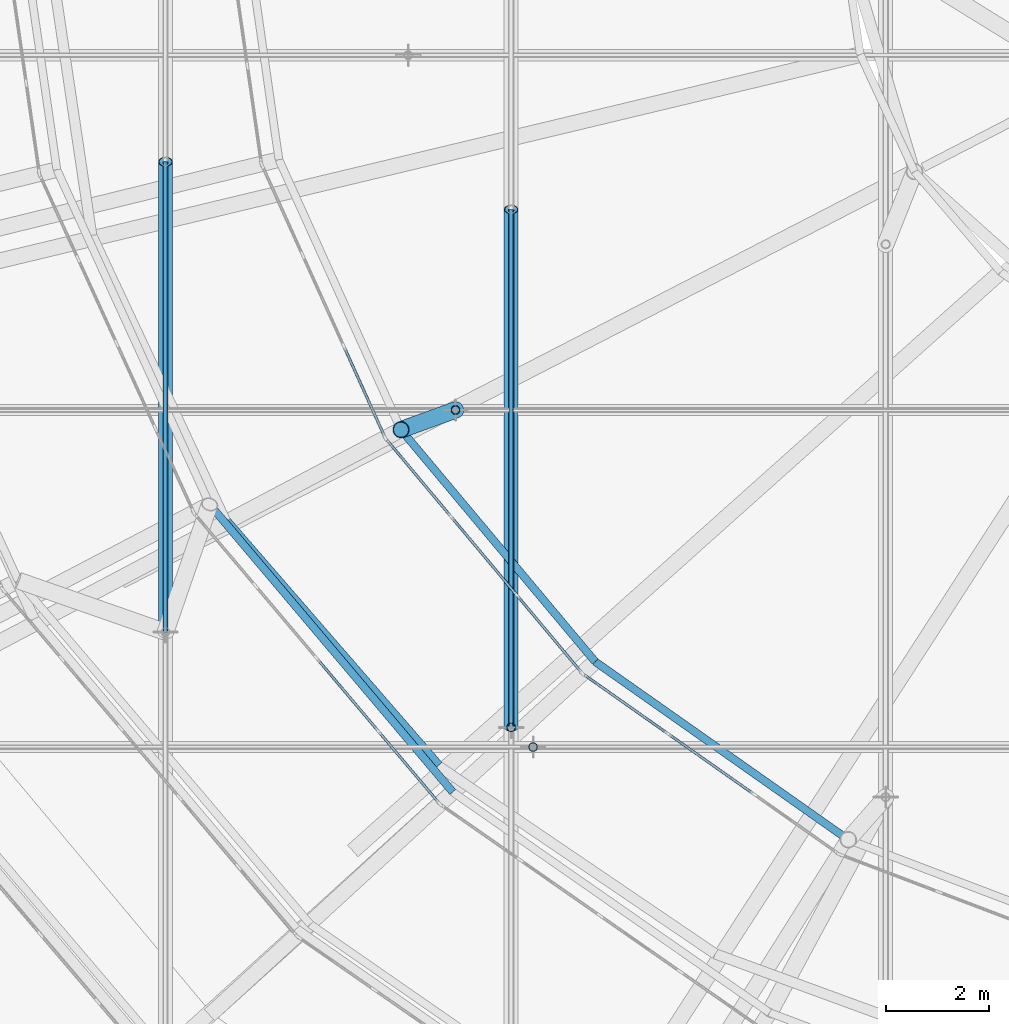
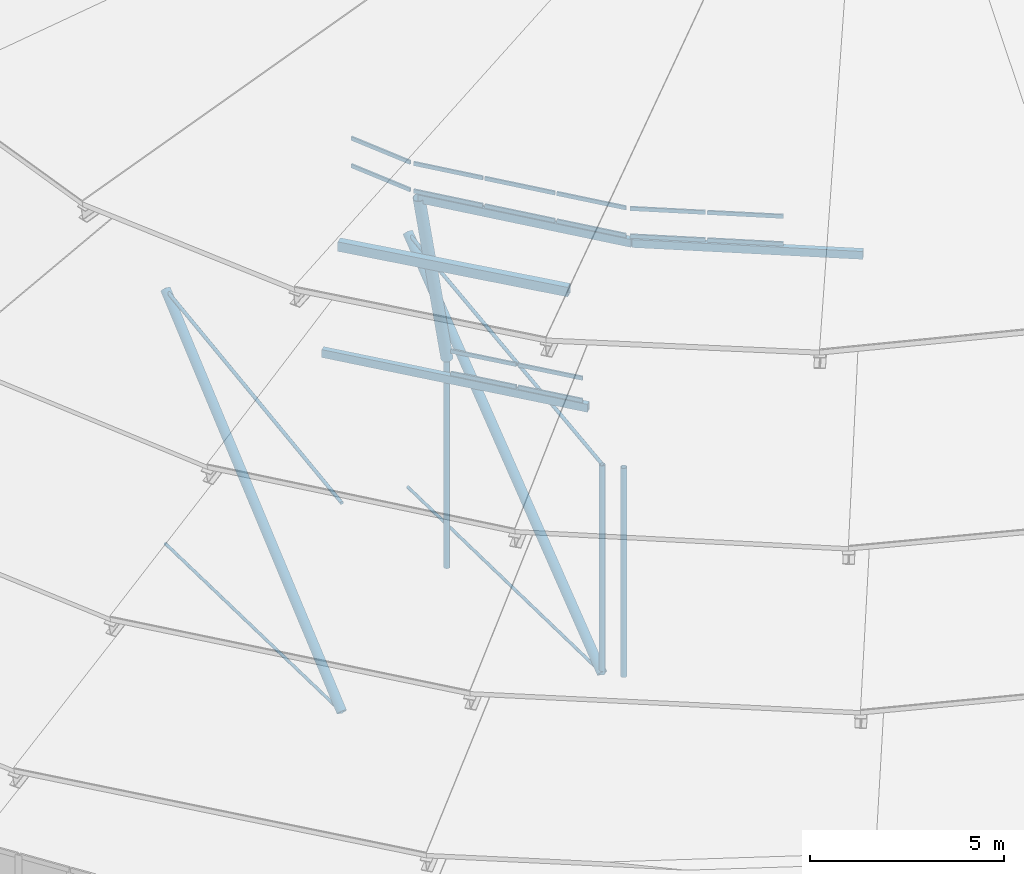
# One storey, part 8 of 173: 30 members, 4 elements without a shape of their own.
"""IFC4 building model written with IfcOpenShell, lengths in metres."""

from ifc_helpers import new_model, si_unit, direction, frame, origin, origin_2d, place, context, subcontext, project, spatial, rectangle, hollow_rectangle, circle, hollow_circle, extrude, material, material_profile, profile_set, type_object, element, aggregate, save


model = new_model("IFC4")

# Units and contexts
model_context = context("Model", 3, precision=1e-05, world=origin(), true_north=direction((0.0, 1.0)))
body_context = subcontext(model_context, "Body", "Model", "MODEL_VIEW")
ifc_project = project(units=[si_unit("LENGTHUNIT", "METRE"), si_unit("AREAUNIT", "SQUARE_METRE"), si_unit("VOLUMEUNIT", "CUBIC_METRE"), si_unit("PLANEANGLEUNIT", "RADIAN"), si_unit("MASSUNIT", "GRAM", prefix="KILO")], contexts=[model_context])

# Site, building, storey
site_placement = place(None, origin())
site = spatial("IfcSite", under=ifc_project, at=site_placement, CompositionType="ELEMENT")
building_placement = place(site_placement, origin())
building = spatial("IfcBuilding", under=site, at=building_placement, Name="Glasvene Arena", CompositionType="ELEMENT")
storey_placement = place(building_placement, frame((0.0, 0.0, 28.800048828125)))
storey = spatial("IfcBuildingStorey", under=building, at=storey_placement, Name="RF", CompositionType="ELEMENT", Elevation=28.800048828125)

# Curtain wall, members
ifc_material_1 = material(Name="Low-emissivity laminated double glazing", Category="glass")
curtain_wall_type_1 = type_object("IfcCurtainWallType", Name="CW-PET3-737x75", PredefinedType="USERDEFINED", material=ifc_material_1)
curtain_wall_1_placement = place(storey_placement, frame((63.16259765625, 57.10009765625, 0.0)))
curtain_wall_1 = element("IfcCurtainWall", 1, at=curtain_wall_1_placement, inside=storey, type_object=curtain_wall_type_1, Name="Petal ring 3-4 clerestory curtain wall 15", ObjectType="CURTAIN WALL", PredefinedType="USERDEFINED")
ifc_material_2 = material(Name="Anodised architectural aluminium", Category="aluminium")
ifc_material_profile_1 = material_profile(ifc_material_2, rectangle(XDim=0.050048828125, YDim=0.1201171875, at=origin_2d()), Name="ALU TRANSOM 50x120")
ifc_profile_set_1 = profile_set([ifc_material_profile_1], Name="Anodised architectural aluminium")
member_type_1 = type_object("IfcMemberType", Name="CW-TRN-120", PredefinedType="USERDEFINED", material=ifc_profile_set_1)
member_1_placement = place(storey_placement, frame((65.55859375, 54.26416015625, 7.85498046875), z_axis=(0.645337954572, -0.763897194908, 0.0), x_axis=(0.763897194908, 0.645337954572, 0.0)))
member_1 = element("IfcMember", 2, at=member_1_placement, type_object=member_type_1, Name="CW-095 transom 3.1", ObjectType="TRANSOM", PredefinedType="USERDEFINED", context=body_context, shape_type="SweptSolid", body=[
    extrude(rectangle(XDim=0.050048828125, YDim=0.1201171875, at=origin_2d()), origin(), (0.0, 0.0, 1.0), 1.793701171875),
])
member_2_placement = place(storey_placement, frame((65.55859375, 54.26416015625, 8.554931640625), z_axis=(0.645337954572, -0.763897194908, 0.0), x_axis=(0.763897194908, 0.645337954572, 0.0)))
member_2 = element("IfcMember", 3, at=member_2_placement, type_object=member_type_1, Name="CW-095 transom 3.2", ObjectType="TRANSOM", PredefinedType="USERDEFINED", context=body_context, shape_type="SweptSolid", body=[
    extrude(rectangle(XDim=0.050048828125, YDim=0.1201171875, at=origin_2d()), origin(), (0.0, 0.0, 1.0), 1.793701171875),
])
member_3_placement = place(storey_placement, frame((66.748291015625, 52.85595703125, 7.85498046875), z_axis=(0.645409970191, -0.763836350521, 0.0), x_axis=(0.763836350521, 0.645409970191, 0.0)))
member_3 = element("IfcMember", 4, at=member_3_placement, type_object=member_type_1, Name="CW-095 transom 4.1", ObjectType="TRANSOM", PredefinedType="USERDEFINED", context=body_context, shape_type="SweptSolid", body=[
    extrude(rectangle(XDim=0.050048828125, YDim=0.1201171875, at=origin_2d()), origin(), (0.0, 0.0, 1.0), 1.768798828125),
])
member_4_placement = place(storey_placement, frame((66.748291015625, 52.85595703125, 8.554931640625), z_axis=(0.645409970191, -0.763836350521, 0.0), x_axis=(0.763836350521, 0.645409970191, 0.0)))
member_4 = element("IfcMember", 5, at=member_4_placement, type_object=member_type_1, Name="CW-095 transom 4.2", ObjectType="TRANSOM", PredefinedType="USERDEFINED", context=body_context, shape_type="SweptSolid", body=[
    extrude(rectangle(XDim=0.050048828125, YDim=0.1201171875, at=origin_2d()), origin(), (0.0, 0.0, 1.0), 1.768798828125),
])
aggregate(curtain_wall_1, [member_1, member_2, member_3, member_4])

curtain_wall_type_2 = type_object("IfcCurtainWallType", Name="CW-PET4-582x92", PredefinedType="USERDEFINED", material=ifc_material_1)
curtain_wall_2_placement = place(storey_placement, frame((64.4677734375, 63.85595703125, 0.0)))
curtain_wall_2 = element("IfcCurtainWall", 6, at=curtain_wall_2_placement, inside=storey, type_object=curtain_wall_type_2, Name="Petal ring 4-5 clerestory curtain wall 14", ObjectType="CURTAIN WALL", PredefinedType="USERDEFINED")
member_5_placement = place(storey_placement, frame((66.076416015625, 60.2958984375, 10.554931640625), z_axis=(0.41175148057, -0.911296174824, 0.0), x_axis=(0.911296174824, 0.41175148057, 0.0)))
member_5 = element("IfcMember", 7, at=member_5_placement, type_object=member_type_1, Name="CW-100 transom 3.1", ObjectType="TRANSOM", PredefinedType="USERDEFINED", context=body_context, shape_type="SweptSolid", body=[
    extrude(rectangle(XDim=0.050048828125, YDim=0.1201171875, at=origin_2d()), origin(), (0.0, 0.0, 1.0), 1.865966796875),
])
member_6_placement = place(storey_placement, frame((66.076416015625, 60.2958984375, 11.4208984375), z_axis=(0.41175148057, -0.911296174824, 0.0), x_axis=(0.911296174824, 0.41175148057, 0.0)))
member_6 = element("IfcMember", 8, at=member_6_placement, type_object=member_type_1, Name="CW-100 transom 3.2", ObjectType="TRANSOM", PredefinedType="USERDEFINED", context=body_context, shape_type="SweptSolid", body=[
    extrude(rectangle(XDim=0.050048828125, YDim=0.1201171875, at=origin_2d()), origin(), (0.0, 0.0, 1.0), 1.865966796875),
])
aggregate(curtain_wall_2, [member_5, member_6])

curtain_wall_type_3 = type_object("IfcCurtainWallType", Name="CW-PET4-594x92", PredefinedType="USERDEFINED", material=ifc_material_1)
curtain_wall_3_placement = place(storey_placement, frame((66.865478515625, 58.550048828125, 0.0)))
curtain_wall_3 = element("IfcCurtainWall", 9, at=curtain_wall_3_placement, inside=storey, type_object=curtain_wall_type_3, Name="Petal ring 4-5 clerestory curtain wall 15", ObjectType="CURTAIN WALL", PredefinedType="USERDEFINED")
member_7_placement = place(storey_placement, frame((66.8974609375, 58.51171875, 10.554931640625), z_axis=(0.641821046465, -0.766854447933, 0.0), x_axis=(0.766854447933, 0.641821046465, 0.0)))
member_7 = element("IfcMember", 10, at=member_7_placement, type_object=member_type_1, Name="CW-101 transom 1.1", ObjectType="TRANSOM", PredefinedType="USERDEFINED", context=body_context, shape_type="SweptSolid", body=[
    extrude(rectangle(XDim=0.050048828125, YDim=0.1201171875, at=origin_2d()), origin(), (0.0, 0.0, 1.0), 1.90576171875),
])
member_8_placement = place(storey_placement, frame((66.8974609375, 58.51171875, 11.4208984375), z_axis=(0.641821046465, -0.766854447933, 0.0), x_axis=(0.766854447933, 0.641821046465, 0.0)))
member_8 = element("IfcMember", 11, at=member_8_placement, type_object=member_type_1, Name="CW-101 transom 1.2", ObjectType="TRANSOM", PredefinedType="USERDEFINED", context=body_context, shape_type="SweptSolid", body=[
    extrude(rectangle(XDim=0.050048828125, YDim=0.1201171875, at=origin_2d()), origin(), (0.0, 0.0, 1.0), 1.90576171875),
])
member_9_placement = place(storey_placement, frame((68.15283203125, 57.011962890625, 10.554931640625), z_axis=(0.641936656459, -0.766757672993, 0.0), x_axis=(0.766757672993, 0.641936656459, 0.0)))
member_9 = element("IfcMember", 12, at=member_9_placement, type_object=member_type_1, Name="CW-101 transom 2.1", ObjectType="TRANSOM", PredefinedType="USERDEFINED", context=body_context, shape_type="SweptSolid", body=[
    extrude(rectangle(XDim=0.050048828125, YDim=0.1201171875, at=origin_2d()), origin(), (0.0, 0.0, 1.0), 1.930419921875),
])
member_10_placement = place(storey_placement, frame((68.15283203125, 57.011962890625, 11.4208984375), z_axis=(0.641936656459, -0.766757672993, 0.0), x_axis=(0.766757672993, 0.641936656459, 0.0)))
member_10 = element("IfcMember", 13, at=member_10_placement, type_object=member_type_1, Name="CW-101 transom 2.2", ObjectType="TRANSOM", PredefinedType="USERDEFINED", context=body_context, shape_type="SweptSolid", body=[
    extrude(rectangle(XDim=0.050048828125, YDim=0.1201171875, at=origin_2d()), origin(), (0.0, 0.0, 1.0), 1.930419921875),
])
member_11_placement = place(storey_placement, frame((69.424072265625, 55.493408203125, 10.554931640625), z_axis=(0.641821046465, -0.766854447933, 0.0), x_axis=(0.766854447933, 0.641821046465, 0.0)))
member_11 = element("IfcMember", 14, at=member_11_placement, type_object=member_type_1, Name="CW-101 transom 3.1", ObjectType="TRANSOM", PredefinedType="USERDEFINED", context=body_context, shape_type="SweptSolid", body=[
    extrude(rectangle(XDim=0.050048828125, YDim=0.1201171875, at=origin_2d()), origin(), (0.0, 0.0, 1.0), 1.90576171875),
])
member_12_placement = place(storey_placement, frame((69.424072265625, 55.493408203125, 11.4208984375), z_axis=(0.641821046465, -0.766854447933, 0.0), x_axis=(0.766854447933, 0.641821046465, 0.0)))
member_12 = element("IfcMember", 15, at=member_12_placement, type_object=member_type_1, Name="CW-101 transom 3.2", ObjectType="TRANSOM", PredefinedType="USERDEFINED", context=body_context, shape_type="SweptSolid", body=[
    extrude(rectangle(XDim=0.050048828125, YDim=0.1201171875, at=origin_2d()), origin(), (0.0, 0.0, 1.0), 1.90576171875),
])
aggregate(curtain_wall_3, [member_7, member_8, member_9, member_10, member_11, member_12])

curtain_wall_type_4 = type_object("IfcCurtainWallType", Name="CW-PET4-608x92", PredefinedType="USERDEFINED", material=ifc_material_1)
curtain_wall_4_placement = place(storey_placement, frame((70.679443359375, 53.99365234375, 0.0)))
curtain_wall_4 = element("IfcCurtainWall", 16, at=curtain_wall_4_placement, inside=storey, type_object=curtain_wall_type_4, Name="Petal ring 4-5 clerestory curtain wall 16", ObjectType="CURTAIN WALL", PredefinedType="USERDEFINED")
member_13_placement = place(storey_placement, frame((70.72021484375, 53.96484375, 10.554931640625), z_axis=(0.817948187288, -0.575291893661, 0.0), x_axis=(0.575291893661, 0.817948187288, 0.0)))
member_13 = element("IfcMember", 17, at=member_13_placement, type_object=member_type_1, Name="CW-102 transom 1.1", ObjectType="TRANSOM", PredefinedType="USERDEFINED", context=body_context, shape_type="SweptSolid", body=[
    extrude(rectangle(XDim=0.050048828125, YDim=0.1201171875, at=origin_2d()), origin(), (0.0, 0.0, 1.0), 1.950927734375),
])
member_14_placement = place(storey_placement, frame((70.72021484375, 53.96484375, 11.4208984375), z_axis=(0.817948187288, -0.575291893661, 0.0), x_axis=(0.575291893661, 0.817948187288, 0.0)))
member_14 = element("IfcMember", 18, at=member_14_placement, type_object=member_type_1, Name="CW-102 transom 1.2", ObjectType="TRANSOM", PredefinedType="USERDEFINED", context=body_context, shape_type="SweptSolid", body=[
    extrude(rectangle(XDim=0.050048828125, YDim=0.1201171875, at=origin_2d()), origin(), (0.0, 0.0, 1.0), 1.950927734375),
])
member_15_placement = place(storey_placement, frame((72.356689453125, 52.81396484375, 10.554931640625), z_axis=(0.817911950472, -0.575343411603, 0.0), x_axis=(0.575343411603, 0.817911950472, 0.0)))
member_15 = element("IfcMember", 19, at=member_15_placement, type_object=member_type_1, Name="CW-102 transom 2.1", ObjectType="TRANSOM", PredefinedType="USERDEFINED", context=body_context, shape_type="SweptSolid", body=[
    extrude(rectangle(XDim=0.050048828125, YDim=0.1201171875, at=origin_2d()), origin(), (0.0, 0.0, 1.0), 1.975830078125),
])
member_16_placement = place(storey_placement, frame((72.356689453125, 52.81396484375, 11.4208984375), z_axis=(0.817911950472, -0.575343411603, 0.0), x_axis=(0.575343411603, 0.817911950472, 0.0)))
member_16 = element("IfcMember", 20, at=member_16_placement, type_object=member_type_1, Name="CW-102 transom 2.2", ObjectType="TRANSOM", PredefinedType="USERDEFINED", context=body_context, shape_type="SweptSolid", body=[
    extrude(rectangle(XDim=0.050048828125, YDim=0.1201171875, at=origin_2d()), origin(), (0.0, 0.0, 1.0), 1.975830078125),
])
aggregate(curtain_wall_4, [member_13, member_14, member_15, member_16])

# Members
ifc_material_3 = material(Name="High-strength steel spiral strand S460", Category="steel")
ifc_material_profile_2 = material_profile(ifc_material_3, circle(Radius=0.052490234375, at=origin_2d()), Name="LCSS D105")
ifc_profile_set_2 = profile_set([ifc_material_profile_2], Name="High-strength steel spiral strand S460")
member_type_2 = type_object("IfcMemberType", Name="MB-CABLE-105", PredefinedType="USERDEFINED", material=ifc_profile_set_2)
member_17_placement = place(storey_placement, frame((69.300537109375, 52.952392578125, 4.472900390625), z_axis=(0.0, 0.992704081728, 0.120576142422), x_axis=(-1.0, 0.0, 0.0)))
element("IfcMember", 21, at=member_17_placement, inside=storey, type_object=member_type_2, Name="Upper lens roof cable NS08-03", ObjectType="ROOF CABLE", PredefinedType="USERDEFINED", context=body_context, shape_type="SweptSolid", body=[
    extrude(circle(Radius=0.052490234375, at=origin_2d()), origin(), (0.0, 0.0, 1.0), 10.09765625),
])
member_18_placement = place(storey_placement, frame((62.610595703125, 54.797119140625, 4.472900390625), z_axis=(0.0, 0.991170919205, 0.132590380206), x_axis=(-1.0, 0.0, 0.0)))
element("IfcMember", 22, at=member_18_placement, inside=storey, type_object=member_type_2, Name="Upper lens roof cable NS09-03", ObjectType="ROOF CABLE", PredefinedType="USERDEFINED", context=body_context, shape_type="SweptSolid", body=[
    extrude(circle(Radius=0.052490234375, at=origin_2d()), origin(), (0.0, 0.0, 1.0), 9.1826171875),
])
ifc_material_profile_3 = material_profile(ifc_material_3, circle(Radius=0.044921875, at=origin_2d()), Name="LCSS D90")
ifc_profile_set_3 = profile_set([ifc_material_profile_3], Name="High-strength steel spiral strand S460")
member_type_3 = type_object("IfcMemberType", Name="MB-CABLE-90", PredefinedType="USERDEFINED", material=ifc_profile_set_3)
member_19_placement = place(storey_placement, frame((69.300537109375, 52.952392578125, -2.112548828125), z_axis=(0.0, 0.999768822687, -0.021501190278), x_axis=(-1.0, 0.0, 0.0)))
element("IfcMember", 23, at=member_19_placement, inside=storey, type_object=member_type_3, Name="Lower stabilization roof cable NS08-03", ObjectType="ROOF CABLE", PredefinedType="USERDEFINED", context=body_context, shape_type="SweptSolid", body=[
    extrude(circle(Radius=0.044921875, at=origin_2d()), origin(), (0.0, 0.0, 1.0), 10.026123046875),
])
member_20_placement = place(storey_placement, frame((62.610595703125, 54.797119140625, -2.112548828125), z_axis=(0.0, 0.999719613617, -0.023678981192), x_axis=(-1.0, 0.0, 0.0)))
element("IfcMember", 24, at=member_20_placement, inside=storey, type_object=member_type_3, Name="Lower stabilization roof cable NS09-03", ObjectType="ROOF CABLE", PredefinedType="USERDEFINED", context=body_context, shape_type="SweptSolid", body=[
    extrude(circle(Radius=0.044921875, at=origin_2d()), origin(), (0.0, 0.0, 1.0), 9.10400390625),
])
ifc_material_4 = material(Name="Steel S355J2", Category="steel")
ifc_material_profile_4 = material_profile(ifc_material_4, hollow_circle(Radius=0.161865234375, WallThickness=0.01611328125, at=origin_2d()), Name="CHS 323.9x16.0")
ifc_profile_set_4 = profile_set([ifc_material_profile_4], Name="Steel S355J2")
member_type_4 = type_object("IfcMemberType", Name="MB-POST-CHS324", PredefinedType="BRACE", material=ifc_profile_set_4)
member_21_placement = place(storey_placement, frame((68.2236328125, 59.09423828125, 4.472900390625), z_axis=(-0.182899620346, -0.06627043162, 0.9808954882), x_axis=(0.340659924386, -0.940186585693, 0.0)))
element("IfcMember", 25, at=member_21_placement, inside=storey, type_object=member_type_4, Name="Petal ring 4 ridge support post 15", PredefinedType="BRACE", context=body_context, shape_type="SweptSolid", body=[
    extrude(hollow_circle(Radius=0.161865234375, WallThickness=0.01611328125, at=origin_2d()), origin(), (0.0, 0.0, 1.0), 5.76904296875),
])
ifc_material_profile_5 = material_profile(ifc_material_4, hollow_rectangle(XDim=0.14990234375, YDim=0.25, WallThickness=0.010009765625, at=origin_2d()), Name="RHS 250x150x10.0")
ifc_profile_set_5 = profile_set([ifc_material_profile_5], Name="Steel S355J2")
member_type_5 = type_object("IfcMemberType", Name="MB-PURLIN-RHS250", PredefinedType="PURLIN", material=ifc_profile_set_5)
member_22_placement = place(storey_placement, frame((63.4658203125, 57.265625, 7.431884765625), z_axis=(0.64556365772, -0.763706464442, 0.0), x_axis=(0.763706464442, 0.64556365772, 0.0)))
element("IfcMember", 26, at=member_22_placement, inside=storey, type_object=member_type_5, Name="Petal ring 3 ridge purlin 15", PredefinedType="PURLIN", context=body_context, shape_type="SweptSolid", body=[
    extrude(hollow_rectangle(XDim=0.14990234375, YDim=0.25, WallThickness=0.010009765625, at=origin_2d()), origin(), (0.0, 0.0, 1.0), 7.286376953125),
])
member_23_placement = place(storey_placement, frame((67.16845703125, 58.7119140625, 10.1318359375), z_axis=(0.641946348461, -0.766749558655, 0.0), x_axis=(0.766749558655, 0.641946348461, 0.0)))
element("IfcMember", 27, at=member_23_placement, inside=storey, type_object=member_type_5, Name="Petal ring 4 ridge purlin 15", PredefinedType="PURLIN", context=body_context, shape_type="SweptSolid", body=[
    extrude(hollow_rectangle(XDim=0.14990234375, YDim=0.25, WallThickness=0.010009765625, at=origin_2d()), origin(), (0.0, 0.0, 1.0), 5.85498046875),
])
member_24_placement = place(storey_placement, frame((70.927001953125, 54.22265625, 10.1318359375), z_axis=(0.817954216409, -0.57528332138, 0.0), x_axis=(0.57528332138, 0.817954216409, 0.0)))
element("IfcMember", 28, at=member_24_placement, inside=storey, type_object=member_type_5, Name="Petal ring 4 ridge purlin 16", PredefinedType="PURLIN", context=body_context, shape_type="SweptSolid", body=[
    extrude(hollow_rectangle(XDim=0.14990234375, YDim=0.25, WallThickness=0.010009765625, at=origin_2d()), origin(), (0.0, 0.0, 1.0), 5.988037109375),
])
ifc_material_profile_6 = material_profile(ifc_material_4, hollow_rectangle(XDim=0.199951171875, YDim=0.300048828125, WallThickness=0.012451171875, at=origin_2d()), Name="RHS 300x200x12.5")
ifc_profile_set_6 = profile_set([ifc_material_profile_6], Name="Steel S355J2")
member_type_6 = type_object("IfcMemberType", Name="MB-PURLIN-RHS300", PredefinedType="PURLIN", material=ifc_profile_set_6)
member_25_placement = place(storey_placement, frame((63.77001953125, 56.949951171875, 10.9013671875), z_axis=(0.655443991024, -0.7552437849, 0.0), x_axis=(0.7552437849, 0.655443991024, 0.0)))
element("IfcMember", 29, at=member_25_placement, inside=storey, type_object=member_type_6, Name="Petal ring 5 outer purlin 15", PredefinedType="PURLIN", context=body_context, shape_type="SweptSolid", body=[
    extrude(hollow_rectangle(XDim=0.199951171875, YDim=0.300048828125, WallThickness=0.012451171875, at=origin_2d()), origin(), (0.0, 0.0, 1.0), 6.279541015625),
])
ifc_material_profile_7 = material_profile(ifc_material_4, hollow_circle(Radius=0.084228515625, WallThickness=0.008056640625, at=origin_2d()), Name="CHS 168.3x8.0")
ifc_profile_set_7 = profile_set([ifc_material_profile_7], Name="Steel S355J2")
member_type_7 = type_object("IfcMemberType", Name="MB-WEB-CHS168", PredefinedType="BRACE", material=ifc_profile_set_7)
for number, where, z_axis, x_axis, name in (
    (30, (69.300537109375, 52.952392578125, -2.112548828125), (0.0, 0.0, 1.0), (1.0, 0.0, 0.0), "Cable-truss vertical strut NS08-02"),
    (31, (69.724853515625, 52.5703125, -2.112548828125), (0.0, 0.0, 1.0), (1.0, 0.0, 0.0), "Cable-truss vertical strut EW01-02"),
    (32, (68.2236328125, 59.09423828125, -2.112548828125), (0.0, 0.0, 1.0), (1.0, 0.0, 0.0), "Cable-truss vertical strut EW02-02"),
):
    element("IfcMember", number, at=place(storey_placement, frame(where, z_axis=z_axis, x_axis=x_axis)), inside=storey, type_object=member_type_7, Name=name, PredefinedType="BRACE", context=body_context, shape_type="SweptSolid", body=[
        extrude(hollow_circle(Radius=0.084228515625, WallThickness=0.008056640625, at=origin_2d()), origin(), (0.0, 0.0, 1.0), 6.58544921875),
    ])
ifc_material_profile_8 = material_profile(ifc_material_4, hollow_circle(Radius=0.136474609375, WallThickness=0.012451171875, at=origin_2d()), Name="CHS 273.0x12.5")
ifc_profile_set_8 = profile_set([ifc_material_profile_8], Name="Steel S355J2")
member_type_8 = type_object("IfcMemberType", Name="MB-WEB-CHS273", PredefinedType="BRACE", material=ifc_profile_set_8)
member_26_placement = place(storey_placement, frame((69.300537109375, 52.952392578125, -2.112548828125), z_axis=(0.0, 0.789100675712, 0.614263887584), x_axis=(-1.0, 0.0, 0.0)))
element("IfcMember", 33, at=member_26_placement, inside=storey, type_object=member_type_8, Name="Cable-truss diagonal web strut NS08-03", PredefinedType="BRACE", context=body_context, shape_type="SweptSolid", body=[
    extrude(hollow_circle(Radius=0.136474609375, WallThickness=0.012451171875, at=origin_2d()), origin(), (0.0, 0.0, 1.0), 12.702880859375),
])
member_27_placement = place(storey_placement, frame((62.610595703125, 54.797119140625, -2.112548828125), z_axis=(0.0, 0.759189036008, 0.650870192593), x_axis=(-1.0, 0.0, 0.0)))
element("IfcMember", 34, at=member_27_placement, inside=storey, type_object=member_type_8, Name="Cable-truss diagonal web strut NS09-03", PredefinedType="BRACE", context=body_context, shape_type="SweptSolid", body=[
    extrude(hollow_circle(Radius=0.136474609375, WallThickness=0.012451171875, at=origin_2d()), origin(), (0.0, 0.0, 1.0), 11.988525390625),
])

save(model, "model.ifc")
